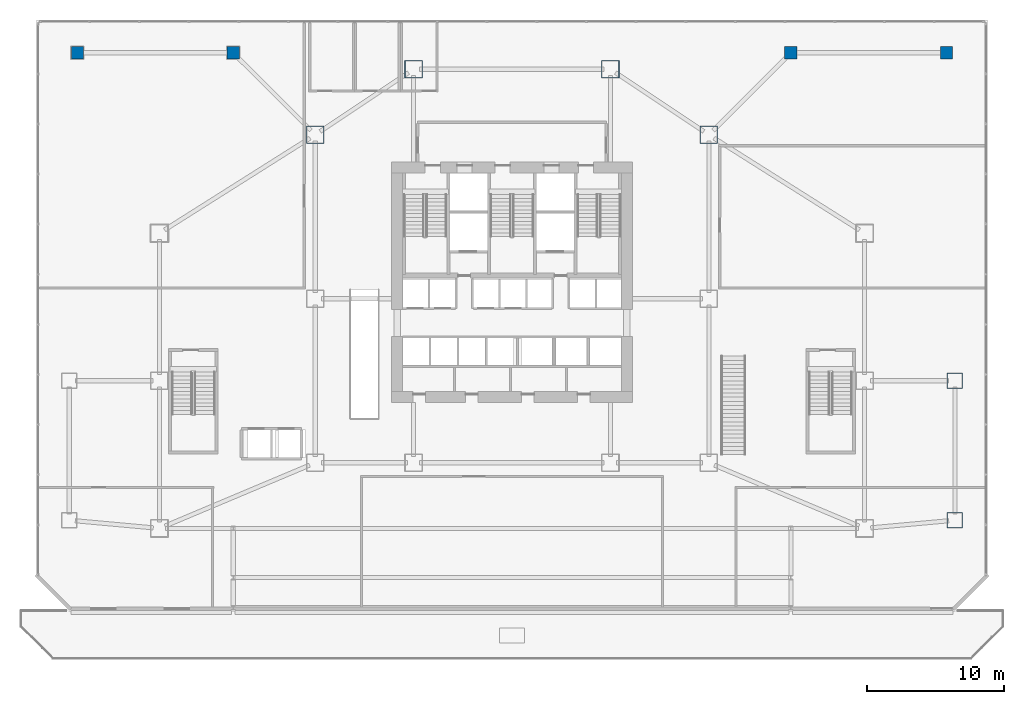
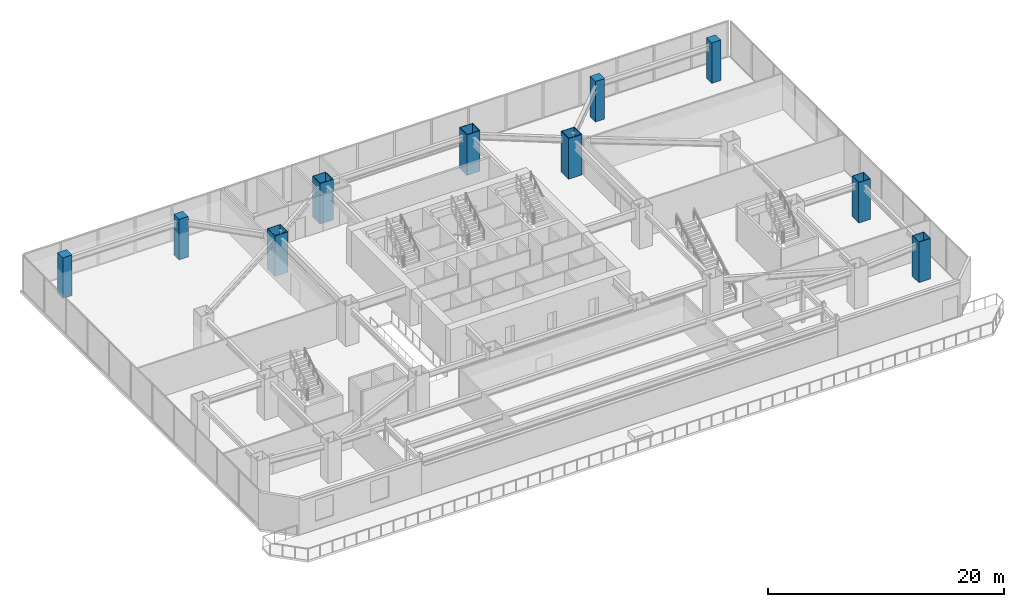
# One storey, part 3 of 32: 10 columns.
"""IFC4 building model written with IfcOpenShell, lengths in metres."""

import ifcopenshell
import ifcopenshell.guid

model = None  # the IFC model being written
_history = None  # IfcOwnerHistory: only IFC2X3 demands one
_inside = {}  # id of a spatial element -> (the spatial element, [elements in it])
_under = {}  # id of a project, library or spatial element -> (it, [spatial elements below it])
_declared = {}  # id of a project -> (the project, [libraries it declares])
_typed = {}  # id of a type object -> (the type object, [elements of that type])
_made_of = {}  # id of a material, layer set ... -> (it, [elements and type objects made of it])


def new_model(schema):
    """Start an empty IFC model of exactly this schema.

    Asked for "IFC4X3", IfcOpenShell would pick the latest addendum, in which some entities
    have other attributes; the version numbers below select the first issue.
    IFC2X3 requires an IfcOwnerHistory on every rooted entity: one is made here for all.
    """
    global model, _history
    if schema == "IFC4X3":
        model = ifcopenshell.file(schema_version=(4, 3, 0, 0))
    else:
        model = ifcopenshell.file(schema=schema)
    _inside.clear()
    _under.clear()
    _declared.clear()
    _typed.clear()
    _made_of.clear()
    _history = None
    if model.schema == "IFC2X3":
        org = make("IfcOrganization", Name="unknown")
        user = make(
            "IfcPersonAndOrganization",
            ThePerson=make("IfcPerson", FamilyName="unknown"),
            TheOrganization=org,
        )
        app = make(
            "IfcApplication",
            ApplicationDeveloper=org,
            Version="unknown",
            ApplicationFullName="unknown",
            ApplicationIdentifier="unknown",
        )
        _history = make(
            "IfcOwnerHistory",
            OwningUser=user,
            OwningApplication=app,
            ChangeAction="ADDED",
            CreationDate=0,
        )
    return model


def make(cls, **values):
    """One entity of the class cls with the attributes given. An attribute that is None is left unset."""
    return model.create_entity(
        cls, **{name: value for name, value in values.items() if value is not None}
    )


def rooted(cls, **values):
    """An entity with a GlobalId (a new one), such as an element, a storey or a relation."""
    return make(cls, GlobalId=ifcopenshell.guid.new(), OwnerHistory=_history, **values)


def si_unit(unit_type, name, prefix=None):
    """IfcSIUnit, for example si_unit("LENGTHUNIT", "METRE", prefix="MILLI")."""
    return make("IfcSIUnit", UnitType=unit_type, Prefix=prefix, Name=name)


def assignment(units):
    """IfcUnitAssignment: the units of a project."""
    return None if units is None else make("IfcUnitAssignment", Units=units)


def point(xyz):
    """IfcCartesianPoint."""
    return None if xyz is None else make("IfcCartesianPoint", Coordinates=xyz)


def direction(xyz):
    """IfcDirection."""
    return None if xyz is None else make("IfcDirection", DirectionRatios=xyz)


def frame(location, z_axis=None, x_axis=None):
    """IfcAxis2Placement3D, a coordinate frame: its origin and axes. An axis left out is left unset."""
    return make(
        "IfcAxis2Placement3D",
        Location=point(location),
        Axis=direction(z_axis),
        RefDirection=direction(x_axis),
    )


def frame_2d(location, x_axis=None):
    """IfcAxis2Placement2D, a coordinate frame in the plane: its origin and x axis."""
    return make(
        "IfcAxis2Placement2D", Location=point(location), RefDirection=direction(x_axis)
    )


def origin():
    """The frame at (0, 0, 0) with its axes left unset."""
    return frame((0.0, 0.0, 0.0))


def origin_2d():
    """The frame at (0, 0) in the plane with its x axis left unset."""
    return frame_2d((0.0, 0.0))


def place(relative_to, where):
    """IfcLocalPlacement: puts the frame where relative to a parent placement (None: the world)."""
    return make(
        "IfcLocalPlacement", PlacementRelTo=relative_to, RelativePlacement=where
    )


def context(
    kind, dimensions, precision=None, world=None, true_north=None, identifier=None
):
    """IfcGeometricRepresentationContext, for example the 3D "Model" context."""
    return make(
        "IfcGeometricRepresentationContext",
        ContextIdentifier=identifier,
        ContextType=kind,
        CoordinateSpaceDimension=dimensions,
        Precision=precision,
        WorldCoordinateSystem=world,
        TrueNorth=true_north,
    )


def subcontext(parent, identifier, kind, view, scale=None):
    """IfcGeometricRepresentationSubContext, for example "Body" below "Model"."""
    return make(
        "IfcGeometricRepresentationSubContext",
        ContextIdentifier=identifier,
        ContextType=kind,
        ParentContext=parent,
        TargetScale=scale,
        TargetView=view,
    )


def project(units=None, contexts=None):
    """IfcProject with its units and contexts."""
    return rooted(
        "IfcProject",
        Name="project",
        RepresentationContexts=contexts,
        UnitsInContext=assignment(units),
    )


def spatial(cls, under=None, at=None, **own):
    """A site, building, storey or space (cls), placed at a placement, below another one or the project."""
    s = rooted(cls, ObjectPlacement=at, **own)
    if under is not None:
        _under.setdefault(under.id(), (under, []))[1].append(s)
    return s


def profile(cls, at=None, kind="AREA", **sizes):
    """A parametric profile (cls). Its sizes go by their IFC names, for example OverallWidth=200.0."""
    return make(cls, ProfileType=kind, Position=at, **sizes)


def rectangle(**sizes):
    """IfcRectangleProfileDef."""
    return profile("IfcRectangleProfileDef", **sizes)


def hollow_rectangle(**sizes):
    """IfcRectangleHollowProfileDef."""
    return profile("IfcRectangleHollowProfileDef", **sizes)


def extrude(swept, where, along, depth):
    """IfcExtrudedAreaSolid: the profile swept, set in the frame where, extruded along a direction by depth."""
    return make(
        "IfcExtrudedAreaSolid",
        SweptArea=swept,
        Position=where,
        ExtrudedDirection=direction(along),
        Depth=depth,
    )


def shape(context_of_items, identifier, shape_type, items):
    """IfcShapeRepresentation: the items that make up one representation, for example the "Body"."""
    return make(
        "IfcShapeRepresentation",
        ContextOfItems=context_of_items,
        RepresentationIdentifier=identifier,
        RepresentationType=shape_type,
        Items=items,
    )


def material(Name=None, Category=None):
    """IfcMaterial."""
    return make("IfcMaterial", Name=Name, Category=Category)


def material_profile(
    of_material, cross_section, Name=None, Category=None, Priority=None
):
    """IfcMaterialProfile: a cross section and its material."""
    return make(
        "IfcMaterialProfile",
        Name=Name,
        Material=of_material,
        Profile=cross_section,
        Priority=Priority,
        Category=Category,
    )


def profile_set(profiles, Name=None, composite=None):
    """IfcMaterialProfileSet."""
    return make(
        "IfcMaterialProfileSet",
        Name=Name,
        MaterialProfiles=profiles,
        CompositeProfile=composite,
    )


def made_of(thing, what):
    """Note that an element or type object is made of a material, layer set ...; save() writes the relation."""
    if what is not None:
        _made_of.setdefault(what.id(), (what, []))[1].append(thing)
    return thing


def type_object(cls, material=None, **own):
    """A type object (cls), such as IfcWallType, which elements share."""
    return made_of(rooted(cls, **own), material)


def element(
    cls,
    number,
    at=None,
    inside=None,
    cuts=None,
    type_object=None,
    material=None,
    context=None,
    identifier="Body",
    shape_type=None,
    held_by="IfcProductDefinitionShape",
    body=None,
    shapes=None,
    **own,
):
    """One element of the class cls, such as IfcWall. Its Tag is "e" and its number.

    at: its placement. inside: the storey or other place that contains it. cuts: it is an
    opening in that element (IfcRelVoidsElement). A single representation is given by context,
    identifier, shape_type and body (its items); several are given by shapes. held_by: the class
    of the entity that holds the representations. save() writes the other relations.
    """
    e = rooted(cls, Tag="e%d" % number, ObjectPlacement=at, **own)
    if body is not None:
        shapes = [shape(context, identifier, shape_type, body)]
    if shapes is not None:
        e.Representation = make(held_by, Representations=shapes)
    if inside is not None:
        _inside.setdefault(inside.id(), (inside, []))[1].append(e)
    if cuts is not None:
        rooted(
            "IfcRelVoidsElement", RelatingBuildingElement=cuts, RelatedOpeningElement=e
        )
    if type_object is not None:
        _typed.setdefault(type_object.id(), (type_object, []))[1].append(e)
    return made_of(e, material)


def aggregate(whole, parts):
    """IfcRelAggregates: a whole, such as a stair, and the parts it consists of."""
    return rooted("IfcRelAggregates", RelatingObject=whole, RelatedObjects=parts)


def save(model, path):
    """Write the relations noted so far, then the file.

    IfcRelAggregates (storeys below a building ...), IfcRelContainedInSpatialStructure (elements
    in a storey), IfcRelDefinesByType, IfcRelAssociatesMaterial and IfcRelDeclares: one each for
    every whole, place, type object, material and project.
    """
    for whole, parts in _under.values():
        aggregate(whole, parts)
    for where, things in _inside.values():
        rooted(
            "IfcRelContainedInSpatialStructure",
            RelatedElements=things,
            RelatingStructure=where,
        )
    for kind, things in _typed.values():
        rooted("IfcRelDefinesByType", RelatedObjects=things, RelatingType=kind)
    for what, things in _made_of.values():
        rooted("IfcRelAssociatesMaterial", RelatedObjects=things, RelatingMaterial=what)
    for by, libraries in _declared.values():
        rooted("IfcRelDeclares", RelatingContext=by, RelatedDefinitions=libraries)
    model.write(path)


model = new_model("IFC4")

# Units and contexts
model_context = context("Model", 3, precision=1e-05, world=origin(), true_north=direction((0.0, 1.0)))
body_context = subcontext(model_context, "Body", "Model", "MODEL_VIEW")
ifc_project = project(units=[si_unit("LENGTHUNIT", "METRE"), si_unit("AREAUNIT", "SQUARE_METRE"), si_unit("VOLUMEUNIT", "CUBIC_METRE"), si_unit("PLANEANGLEUNIT", "RADIAN"), si_unit("MASSUNIT", "GRAM", prefix="KILO")], contexts=[model_context])

# Site, building, storey
site_placement = place(None, origin())
site = spatial("IfcSite", under=ifc_project, at=site_placement, CompositionType="ELEMENT")
building_placement = place(site_placement, origin())
building = spatial("IfcBuilding", under=site, at=building_placement, Name="Haolan Belvedere Tower", CompositionType="ELEMENT")
storey_placement = place(building_placement, frame((0.0, 0.0, 15.60009765625)))
storey = spatial("IfcBuildingStorey", under=building, at=storey_placement, Name="L03", CompositionType="ELEMENT", Elevation=15.60009765625)

# Columns
ifc_material_1 = material(Name="Steel Q355B", Category="steel")
ifc_material_profile_1 = material_profile(ifc_material_1, hollow_rectangle(XDim=1.14990234375, YDim=1.14990234375, WallThickness=0.0419921875, at=origin_2d()), Name="Steel Q355B")
ifc_profile_set_1 = profile_set([ifc_material_profile_1], Name="Steel Q355B")
column_type_1 = type_object("IfcColumnType", Name="COL-BOX1150x1150x42", PredefinedType="COLUMN", material=ifc_profile_set_1)
for number, where, z_axis, x_axis, name in (
    (1, (70.800048828125, 17.39990234375, 0.0), (0.0, 0.0, 1.0), (1.0, 0.0, 0.0), "L03 column MC-T5-SE (BOX1150x1150x42)"),
    (2, (70.800048828125, 27.60009765625, 0.0), (0.0, 0.0, 1.0), (1.0, 0.0, 0.0), "L03 column MC-T5-NE (BOX1150x1150x42)"),
):
    element("IfcColumn", number, at=place(storey_placement, frame(where, z_axis=z_axis, x_axis=x_axis)), inside=storey, type_object=column_type_1, Name=name, PredefinedType="COLUMN", context=body_context, shape_type="SweptSolid", body=[
        extrude(hollow_rectangle(XDim=1.14990234375, YDim=1.14990234375, WallThickness=0.0419921875, at=origin_2d()), origin(), (0.0, 0.0, 1.0), 4.199951171875),
    ])
ifc_material_profile_2 = material_profile(ifc_material_1, hollow_rectangle(XDim=1.300048828125, YDim=1.300048828125, WallThickness=0.048095703125, at=origin_2d()), Name="Steel Q355B")
ifc_profile_set_2 = profile_set([ifc_material_profile_2], Name="Steel Q355B")
column_type_2 = type_object("IfcColumnType", Name="COL-BOX1300x1300x48", PredefinedType="COLUMN", material=ifc_profile_set_2)
for number, where, z_axis, x_axis, name in (
    (3, (24.0, 45.60009765625, 0.0), (0.0, 0.0, 1.0), (1.0, 0.0, 0.0), "L03 column MC-T3-NW (BOX1300x1300x48)"),
    (4, (52.800048828125, 45.60009765625, 0.0), (0.0, 0.0, 1.0), (1.0, 0.0, 0.0), "L03 column MC-T3-NE (BOX1300x1300x48)"),
    (5, (31.199951171875, 50.39990234375, 0.0), (0.0, 0.0, 1.0), (1.0, 0.0, 0.0), "L03 column MC-T3-N1 (BOX1300x1300x48)"),
    (6, (45.60009765625, 50.39990234375, 0.0), (0.0, 0.0, 1.0), (1.0, 0.0, 0.0), "L03 column MC-T3-N2 (BOX1300x1300x48)"),
):
    element("IfcColumn", number, at=place(storey_placement, frame(where, z_axis=z_axis, x_axis=x_axis)), inside=storey, type_object=column_type_2, Name=name, PredefinedType="COLUMN", context=body_context, shape_type="SweptSolid", body=[
        extrude(hollow_rectangle(XDim=1.300048828125, YDim=1.300048828125, WallThickness=0.048095703125, at=origin_2d()), origin(), (0.0, 0.0, 1.0), 4.199951171875),
    ])
ifc_material_2 = material(Name="Concrete C50/60", Category="concrete")
ifc_material_profile_3 = material_profile(ifc_material_2, rectangle(XDim=0.89990234375, YDim=0.89990234375, at=origin_2d()), Name="Concrete C50/60")
ifc_profile_set_3 = profile_set([ifc_material_profile_3], Name="Concrete C50/60")
column_type_3 = type_object("IfcColumnType", Name="COL-RC900x900", PredefinedType="COLUMN", material=ifc_profile_set_3)
for number, where, z_axis, x_axis, name in (
    (7, (6.60009765625, 51.60009765625, 0.0), (0.0, 0.0, 1.0), (1.0, 0.0, 0.0), "L03 column PC-NW-1 (RC900x900)"),
    (8, (18.0, 51.60009765625, 0.0), (0.0, 0.0, 1.0), (1.0, 0.0, 0.0), "L03 column PC-NW-2 (RC900x900)"),
    (9, (58.800048828125, 51.60009765625, 0.0), (0.0, 0.0, 1.0), (1.0, 0.0, 0.0), "L03 column PC-NE-1 (RC900x900)"),
    (10, (70.199951171875, 51.60009765625, 0.0), (0.0, 0.0, 1.0), (1.0, 0.0, 0.0), "L03 column PC-NE-2 (RC900x900)"),
):
    element("IfcColumn", number, at=place(storey_placement, frame(where, z_axis=z_axis, x_axis=x_axis)), inside=storey, type_object=column_type_3, Name=name, PredefinedType="COLUMN", context=body_context, shape_type="SweptSolid", body=[
        extrude(rectangle(XDim=0.89990234375, YDim=0.89990234375, at=origin_2d()), origin(), (0.0, 0.0, 1.0), 4.199951171875),
    ])

save(model, "model.ifc")
